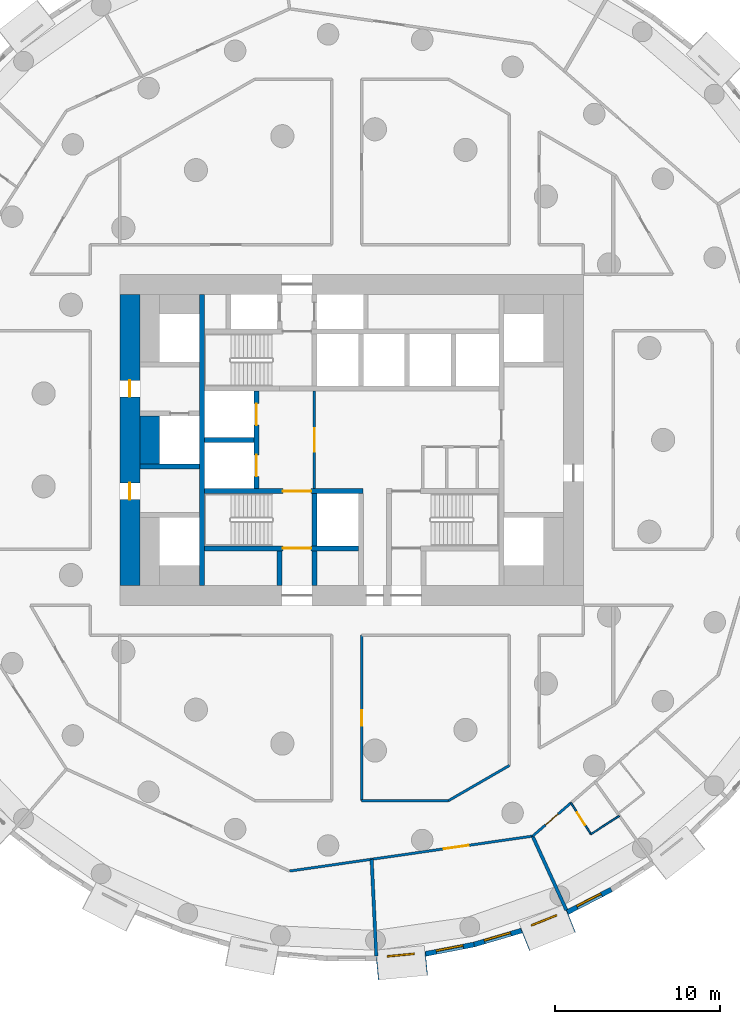
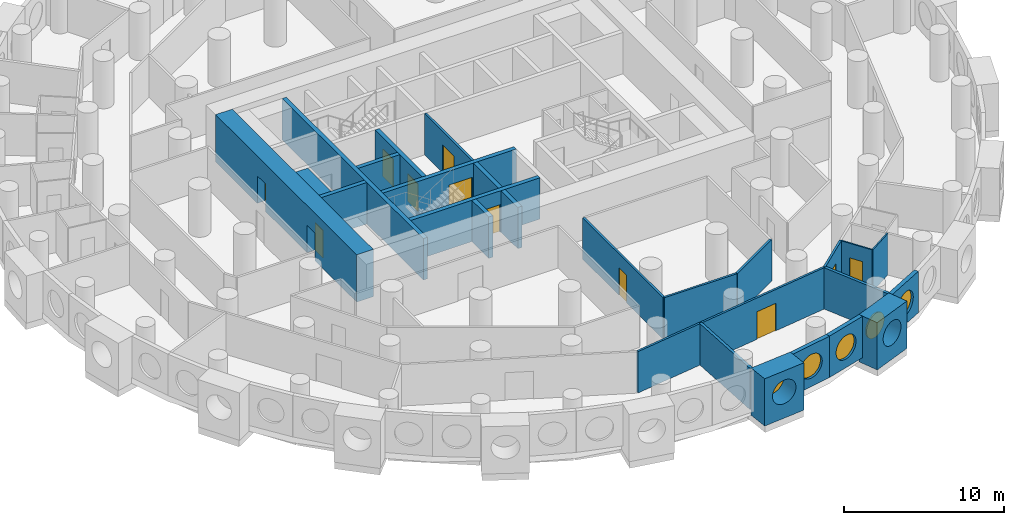
# One storey, part 4 of 11: 26 walls, 11 doors, 5 windows, 16 openings.
"""IFC4 building model written with IfcOpenShell, lengths in metres."""

from ifc_helpers import new_model, si_unit, direction, frame, frame_2d, origin, origin_2d, place, context, subcontext, project, spatial, rectangle, circle, extrude, material, layer, layer_set, type_object, element, fill, save


model = new_model("IFC4")

# Units and contexts
model_context = context("Model", 3, precision=1e-05, world=origin(), true_north=direction((0.0, 1.0)))
body_context = subcontext(model_context, "Body", "Model", "MODEL_VIEW")
ifc_project = project(units=[si_unit("LENGTHUNIT", "METRE"), si_unit("AREAUNIT", "SQUARE_METRE"), si_unit("VOLUMEUNIT", "CUBIC_METRE"), si_unit("PLANEANGLEUNIT", "RADIAN"), si_unit("MASSUNIT", "GRAM", prefix="KILO")], contexts=[model_context])

# Site, building, storey
site_placement = place(None, origin())
site = spatial("IfcSite", under=ifc_project, at=site_placement, CompositionType="ELEMENT")
building_placement = place(site_placement, origin())
building = spatial("IfcBuilding", under=site, at=building_placement, Name="Tracery Tower", CompositionType="ELEMENT")
storey_placement = place(building_placement, frame((0.0, 0.0, 64.199951171875)))
storey = spatial("IfcBuildingStorey", under=building, at=storey_placement, Name="L15", CompositionType="ELEMENT", Elevation=64.199951171875)

# Wall, opening, door
ifc_material_1 = material(Name="Plasterboard on steel studs", Category="steel")
ifc_layer_1 = layer(ifc_material_1, 0.14990234375)
ifc_layer_set_1 = layer_set([ifc_layer_1], Name="Core lobby partition 150")
wall_type_1 = type_object("IfcWallType", Name="Core lobby partition 150", PredefinedType="SOLIDWALL", material=ifc_layer_set_1)
wall_1_placement = place(storey_placement, frame((-2.25, -2.949951171875, 0.0), z_axis=(0.0, 0.0, 1.0), x_axis=(0.0, 1.0, 0.0)))
wall_1 = element("IfcWall", 1, at=wall_1_placement, inside=storey, type_object=wall_type_1, Name="L15 FF lobby E", PredefinedType="SOLIDWALL", context=body_context, shape_type="SweptSolid", body=[
    extrude(rectangle(XDim=5.89990234375, YDim=0.14990234375, at=frame_2d((2.949951171875, 0.0))), origin(), (0.0, 0.0, 1.0), 3.150146484375),
])
opening_1_placement = place(wall_1_placement, frame((2.25, 0.0, 0.0)))
opening_1 = element("IfcOpeningElement", 2, at=opening_1_placement, cuts=wall_1, Name="Opening KD8", PredefinedType="OPENING", context=body_context, shape_type="SweptSolid", body=[
    extrude(rectangle(XDim=1.39990234375, YDim=2.10009765625, at=frame_2d((0.699951171875, 1.050048828125))), frame((0.0, 0.074951171875, 0.0), z_axis=(0.0, -1.0, 0.0), x_axis=(1.0, 0.0, 0.0)), (0.0, 0.0, 1.0), 0.14990234375),
])
ifc_material_2 = material(Name="Steel fire door", Category="steel")
door_type_1 = type_object("IfcDoorType", Name="Core lobby door 1400 double", OperationType="NOTDEFINED", PredefinedType="DOOR", material=ifc_material_2)
door_1_placement = place(opening_1_placement, origin())
door_1 = element("IfcDoor", 3, at=door_1_placement, inside=storey, type_object=door_type_1, Name="Fire-fighting lobby door", OperationType="DOUBLE_DOOR_SINGLE_SWING", OverallHeight=2.10009765625, OverallWidth=1.39990234375, PredefinedType="DOOR", context=body_context, shape_type="SweptSolid", body=[
    extrude(rectangle(XDim=1.39990234375, YDim=2.10009765625, at=frame_2d((0.699951171875, 1.050048828125))), frame((0.0, 0.02490234375, 0.0), z_axis=(0.0, -1.0, 0.0), x_axis=(1.0, 0.0, 0.0)), (0.0, 0.0, 1.0), 0.050048828125),
])
fill(opening_1, door_1)

# Wall
ifc_material_3 = material(Name="Concrete C60/75", Category="concrete")
ifc_layer_2 = layer(ifc_material_3, 1.199951171875)
ifc_layer_set_2 = layer_set([ifc_layer_2], Name="Core strip wall 1200 C60")
wall_type_2 = type_object("IfcWallType", Name="Core strip wall 1200 C60", PredefinedType="SOLIDWALL", material=ifc_layer_set_2)
wall_2_placement = place(storey_placement, frame((-12.199951171875, -1.449951171875, 0.0), z_axis=(0.0, 0.0, 1.0), x_axis=(0.0, 1.0, 0.0)))
element("IfcWall", 4, at=wall_2_placement, inside=storey, type_object=wall_type_2, Name="L15 wing strip -1 -1.6", PredefinedType="SOLIDWALL", context=body_context, shape_type="SweptSolid", body=[
    extrude(rectangle(XDim=2.89990234375, YDim=1.199951171875, at=frame_2d((1.449951171875, 0.0))), origin(), (0.0, 0.0, 1.0), 3.150146484375),
])

# Wall, openings, doors
ifc_material_4 = material(Name="Concrete C60/75", Category="concrete")
ifc_layer_3 = layer(ifc_material_4, 1.199951171875)
ifc_layer_set_3 = layer_set([ifc_layer_3], Name="Core wall 1200 C60")
wall_type_3 = type_object("IfcWallType", Name="Core wall 1200 C60", PredefinedType="SOLIDWALL", material=ifc_layer_set_3)
wall_3_placement = place(storey_placement, frame((-13.39990234375, -8.800048828125, 0.0), z_axis=(0.0, 0.0, 1.0), x_axis=(0.0, 1.0, 0.0)))
wall_3 = element("IfcWall", 5, at=wall_3_placement, inside=storey, type_object=wall_type_3, Name="L15 outer W", PredefinedType="SOLIDWALL", context=body_context, shape_type="SweptSolid", body=[
    extrude(rectangle(XDim=17.60009765625, YDim=1.199951171875, at=frame_2d((8.800048828125, 0.0))), origin(), (0.0, 0.0, 1.0), 3.60009765625),
])
opening_2_placement = place(wall_3_placement, frame((5.199951171875, 0.0, 0.0)))
opening_2 = element("IfcOpeningElement", 6, at=opening_2_placement, cuts=wall_3, Name="Opening KD18", PredefinedType="OPENING", context=body_context, shape_type="SweptSolid", body=[
    extrude(rectangle(XDim=1.0, YDim=2.10009765625, at=frame_2d((0.5, 1.050048828125))), frame((0.0, 0.60009765625, 0.0), z_axis=(0.0, -1.0, 0.0), x_axis=(1.0, 0.0, 0.0)), (0.0, 0.0, 1.0), 1.199951171875),
])
opening_3_placement = place(wall_3_placement, frame((11.39990234375, 0.0, 0.0)))
opening_3 = element("IfcOpeningElement", 7, at=opening_3_placement, cuts=wall_3, Name="Opening KD18", PredefinedType="OPENING", context=body_context, shape_type="SweptSolid", body=[
    extrude(rectangle(XDim=1.0, YDim=2.10009765625, at=frame_2d((0.5, 1.050048828125))), frame((0.0, 0.60009765625, 0.0), z_axis=(0.0, -1.0, 0.0), x_axis=(1.0, 0.0, 0.0)), (0.0, 0.0, 1.0), 1.199951171875),
])
ifc_material_5 = material(Name="Steel fire door", Category="steel")
door_type_2 = type_object("IfcDoorType", Name="Core exit door 1000", OperationType="NOTDEFINED", PredefinedType="DOOR", material=ifc_material_5)
door_2_placement = place(opening_2_placement, origin())
door_2 = element("IfcDoor", 8, at=door_2_placement, inside=storey, type_object=door_type_2, Name="Core exit door", OperationType="DOUBLE_DOOR_SINGLE_SWING", OverallHeight=2.10009765625, OverallWidth=1.0, PredefinedType="DOOR", context=body_context, shape_type="SweptSolid", body=[
    extrude(rectangle(XDim=1.0, YDim=2.10009765625, at=frame_2d((0.5, 1.050048828125))), frame((0.0, 0.02490234375, 0.0), z_axis=(0.0, -1.0, 0.0), x_axis=(1.0, 0.0, 0.0)), (0.0, 0.0, 1.0), 0.050048828125),
])
fill(opening_2, door_2)
door_3_placement = place(opening_3_placement, origin())
door_3 = element("IfcDoor", 9, at=door_3_placement, inside=storey, type_object=door_type_2, Name="Core exit door", OperationType="DOUBLE_DOOR_SINGLE_SWING", OverallHeight=2.10009765625, OverallWidth=1.0, PredefinedType="DOOR", context=body_context, shape_type="SweptSolid", body=[
    extrude(rectangle(XDim=1.0, YDim=2.10009765625, at=frame_2d((0.5, 1.050048828125))), frame((0.0, 0.02490234375, 0.0), z_axis=(0.0, -1.0, 0.0), x_axis=(1.0, 0.0, 0.0)), (0.0, 0.0, 1.0), 0.050048828125),
])
fill(opening_3, door_3)

# Wall, opening, window
ifc_material_6 = material(Name="Precast concrete C50/60", Category="concrete")
ifc_layer_4 = layer(ifc_material_6, 1.449951171875)
ifc_layer_set_4 = layer_set([ifc_layer_4], Name="Deep-set bay unit 3000 x 3600, slab edge 450")
wall_type_4 = type_object("IfcWallType", Name="Deep-set bay unit 3000 x 3600, slab edge 450", PredefinedType="ELEMENTEDWALL", material=ifc_layer_set_4)
wall_4_placement = place(storey_placement, frame((1.540283203125, -31.911865234375, -0.449951171875), z_axis=(0.0, 0.0, 1.0), x_axis=(0.995472768558, 0.09504718333, 0.0)))
wall_4 = element("IfcWall", 10, at=wall_4_placement, inside=storey, type_object=wall_type_4, Name="Deep-set bay unit 51 at L15", PredefinedType="ELEMENTEDWALL", context=body_context, shape_type="SweptSolid", body=[
    extrude(rectangle(XDim=3.000244140625, YDim=1.449951171875, at=frame_2d((1.5, 0.0))), origin(), (0.0, 0.0, 1.0), 3.60009765625),
])
opening_4_placement = place(wall_4_placement, frame((1.5, 0.0, 2.0)))
opening_4 = element("IfcOpeningElement", 11, at=opening_4_placement, cuts=wall_4, Name="Opening WN1", PredefinedType="OPENING", context=body_context, shape_type="SweptSolid", body=[
    extrude(circle(Radius=0.9000244140625, at=origin_2d()), frame((0.0, 0.73486328125, 0.0), z_axis=(0.0, -1.0, 0.0), x_axis=(1.0, 0.0, 0.0)), (0.0, 0.0, 1.0), 1.469970703125),
])
ifc_material_7 = material(Name="Aluminium frame with tinted double glazing", Category="aluminium")
window_type = type_object("IfcWindowType", Name="Round window 1800", PartitioningType="SINGLE_PANEL", PredefinedType="WINDOW", material=ifc_material_7)
window_1_placement = place(opening_4_placement, origin())
window_1 = element("IfcWindow", 12, at=window_1_placement, inside=storey, type_object=window_type, Name="Round window 51 at L15", OverallHeight=1.800048828125, OverallWidth=1.800048828125, PartitioningType="SINGLE_PANEL", PredefinedType="WINDOW", context=body_context, shape_type="SweptSolid", body=[
    extrude(circle(Radius=0.9000244140625, at=origin_2d()), frame((0.0, 0.69482421875, 0.0), z_axis=(0.0, -1.0, 0.0), x_axis=(1.0, 0.0, 0.0)), (0.0, 0.0, 1.0), 0.10009765625),
])
fill(opening_4, window_1)

wall_5_placement = place(storey_placement, frame((10.46875, -30.185302734375, -0.449951171875), z_axis=(0.0, 0.0, 1.0), x_axis=(0.928358776184, 0.371685327504, 0.0)))
wall_5 = element("IfcWall", 13, at=wall_5_placement, inside=storey, type_object=wall_type_4, Name="Deep-set bay unit 54 at L15", PredefinedType="ELEMENTEDWALL", context=body_context, shape_type="SweptSolid", body=[
    extrude(rectangle(XDim=2.999755859375, YDim=1.449951171875, at=frame_2d((1.5, 0.0))), origin(), (0.0, 0.0, 1.0), 3.60009765625),
])
opening_5_placement = place(wall_5_placement, frame((1.5, 0.0, 2.0)))
opening_5 = element("IfcOpeningElement", 14, at=opening_5_placement, cuts=wall_5, Name="Opening WN1", PredefinedType="OPENING", context=body_context, shape_type="SweptSolid", body=[
    extrude(circle(Radius=0.9000244140625, at=origin_2d()), frame((0.0, 0.73486328125, 0.0), z_axis=(0.0, -1.0, 0.0), x_axis=(1.0, 0.0, 0.0)), (0.0, 0.0, 1.0), 1.469970703125),
])
window_2_placement = place(opening_5_placement, origin())
window_2 = element("IfcWindow", 15, at=window_2_placement, inside=storey, type_object=window_type, Name="Round window 54 at L15", OverallHeight=1.800048828125, OverallWidth=1.800048828125, PartitioningType="SINGLE_PANEL", PredefinedType="WINDOW", context=body_context, shape_type="SweptSolid", body=[
    extrude(circle(Radius=0.9000244140625, at=origin_2d()), frame((0.0, 0.69482421875, 0.0), z_axis=(0.0, -1.0, 0.0), x_axis=(1.0, 0.0, 0.0)), (0.0, 0.0, 1.0), 0.10009765625),
])
fill(opening_5, window_2)

ifc_material_8 = material(Name="Precast concrete C50/60", Category="concrete")
ifc_layer_5 = layer(ifc_material_8, 0.300048828125)
ifc_layer_set_5 = layer_set([ifc_layer_5], Name="Facade panel 3000 x 3150")
wall_type_5 = type_object("IfcWallType", Name="Facade panel 3000 x 3150", PredefinedType="SOLIDWALL", material=ifc_layer_set_5)
wall_6_placement = place(storey_placement, frame((4.470947265625, -31.053955078125, 0.0), z_axis=(0.0, 0.0, 1.0), x_axis=(0.981924535406, 0.189272836848, 0.0)))
wall_6 = element("IfcWall", 16, at=wall_6_placement, inside=storey, type_object=wall_type_5, Name="Facade panel 52 at L15", PredefinedType="SOLIDWALL", context=body_context, shape_type="SweptSolid", body=[
    extrude(rectangle(XDim=2.979736328125, YDim=0.300048828125, at=frame_2d((1.48974609375, 0.0))), origin(), (0.0, 0.0, 1.0), 3.150146484375),
])
opening_6_placement = place(wall_6_placement, frame((1.48974609375, 0.0, 1.5498046875)))
opening_6 = element("IfcOpeningElement", 17, at=opening_6_placement, cuts=wall_6, Name="Opening WN1", PredefinedType="OPENING", context=body_context, shape_type="SweptSolid", body=[
    extrude(circle(Radius=0.9000244140625, at=origin_2d()), frame((0.0, 0.159912109375, 0.0), z_axis=(0.0, -1.0, 0.0), x_axis=(1.0, 0.0, 0.0)), (0.0, 0.0, 1.0), 0.320068359375),
])
window_3_placement = place(opening_6_placement, origin())
window_3 = element("IfcWindow", 18, at=window_3_placement, inside=storey, type_object=window_type, Name="Round window 52 at L15", OverallHeight=1.800048828125, OverallWidth=1.800048828125, PartitioningType="SINGLE_PANEL", PredefinedType="WINDOW", context=body_context, shape_type="SweptSolid", body=[
    extrude(circle(Radius=0.9000244140625, at=origin_2d()), frame((0.0, 0.1201171875, 0.0), z_axis=(0.0, -1.0, 0.0), x_axis=(1.0, 0.0, 0.0)), (0.0, 0.0, 1.0), 0.10009765625),
])
fill(opening_6, window_3)

wall_7_placement = place(storey_placement, frame((7.396728515625, -30.489990234375, 0.0), z_axis=(0.0, 0.0, 1.0), x_axis=(0.959507586834, 0.28168278401, 0.0)))
wall_7 = element("IfcWall", 19, at=wall_7_placement, inside=storey, type_object=wall_type_5, Name="Facade panel 53 at L15", PredefinedType="SOLIDWALL", context=body_context, shape_type="SweptSolid", body=[
    extrude(rectangle(XDim=2.979736328125, YDim=0.300048828125, at=frame_2d((1.48974609375, 0.0))), origin(), (0.0, 0.0, 1.0), 3.150146484375),
])
opening_7_placement = place(wall_7_placement, frame((1.48974609375, 0.0, 1.5498046875)))
opening_7 = element("IfcOpeningElement", 20, at=opening_7_placement, cuts=wall_7, Name="Opening WN1", PredefinedType="OPENING", context=body_context, shape_type="SweptSolid", body=[
    extrude(circle(Radius=0.9000244140625, at=origin_2d()), frame((0.0, 0.159912109375, 0.0), z_axis=(0.0, -1.0, 0.0), x_axis=(1.0, 0.0, 0.0)), (0.0, 0.0, 1.0), 0.320068359375),
])
window_4_placement = place(opening_7_placement, origin())
window_4 = element("IfcWindow", 21, at=window_4_placement, inside=storey, type_object=window_type, Name="Round window 53 at L15", OverallHeight=1.800048828125, OverallWidth=1.800048828125, PartitioningType="SINGLE_PANEL", PredefinedType="WINDOW", context=body_context, shape_type="SweptSolid", body=[
    extrude(circle(Radius=0.9000244140625, at=origin_2d()), frame((0.0, 0.1201171875, 0.0), z_axis=(0.0, -1.0, 0.0), x_axis=(1.0, 0.0, 0.0)), (0.0, 0.0, 1.0), 0.10009765625),
])
fill(opening_7, window_4)

wall_8_placement = place(storey_placement, frame((13.038818359375, -28.536376953125, 0.0), z_axis=(0.0, 0.0, 1.0), x_axis=(0.888853225096, 0.4581920386, 0.0)))
wall_8 = element("IfcWall", 22, at=wall_8_placement, inside=storey, type_object=wall_type_5, Name="Facade panel 55 at L15", PredefinedType="SOLIDWALL", context=body_context, shape_type="SweptSolid", body=[
    extrude(rectangle(XDim=2.9794921875, YDim=0.300048828125, at=frame_2d((1.48974609375, 0.0))), origin(), (0.0, 0.0, 1.0), 3.150146484375),
])
opening_8_placement = place(wall_8_placement, frame((1.48974609375, 0.0, 1.5498046875)))
opening_8 = element("IfcOpeningElement", 23, at=opening_8_placement, cuts=wall_8, Name="Opening WN1", PredefinedType="OPENING", context=body_context, shape_type="SweptSolid", body=[
    extrude(circle(Radius=0.9000244140625, at=origin_2d()), frame((0.0, 0.159912109375, 0.0), z_axis=(0.0, -1.0, 0.0), x_axis=(1.0, 0.0, 0.0)), (0.0, 0.0, 1.0), 0.320068359375),
])
window_5_placement = place(opening_8_placement, origin())
window_5 = element("IfcWindow", 24, at=window_5_placement, inside=storey, type_object=window_type, Name="Round window 55 at L15", OverallHeight=1.800048828125, OverallWidth=1.800048828125, PartitioningType="SINGLE_PANEL", PredefinedType="WINDOW", context=body_context, shape_type="SweptSolid", body=[
    extrude(circle(Radius=0.9000244140625, at=origin_2d()), frame((0.0, 0.1201171875, 0.0), z_axis=(0.0, -1.0, 0.0), x_axis=(1.0, 0.0, 0.0)), (0.0, 0.0, 1.0), 0.10009765625),
])
fill(opening_8, window_5)

# Wall, opening, door
ifc_material_9 = material(Name="Plasterboard on steel studs", Category="steel")
ifc_layer_6 = layer(ifc_material_9, 0.10009765625)
ifc_layer_set_6 = layer_set([ifc_layer_6], Name="Partition 100 wet wall")
wall_type_6 = type_object("IfcWallType", Name="Partition 100 wet wall", PredefinedType="PARTITIONING", material=ifc_layer_set_6)
wall_9_placement = place(storey_placement, frame((13.248046875, -21.93505859375, 0.0), z_axis=(0.0, 0.0, 1.0), x_axis=(0.540597960994, -0.841281073464, 0.0)))
wall_9 = element("IfcWall", 25, at=wall_9_placement, inside=storey, type_object=wall_type_6, Name="Wet wall RA4-087", PredefinedType="PARTITIONING", context=body_context, shape_type="SweptSolid", body=[
    extrude(rectangle(XDim=2.24169921875, YDim=0.10009765625, at=frame_2d((1.120849609375, 0.0))), origin(), (0.0, 0.0, 1.0), 3.150146484375),
])
opening_9_placement = place(wall_9_placement, frame((0.6708984375, 0.0, 0.0)))
opening_9 = element("IfcOpeningElement", 26, at=opening_9_placement, cuts=wall_9, Name="Opening RA4-30", PredefinedType="OPENING", context=body_context, shape_type="SweptSolid", body=[
    extrude(rectangle(XDim=0.89990234375, YDim=2.0400390625, at=frame_2d((0.449951171875, 1.02001953125))), frame((0.0, 0.050048828125, 0.0), z_axis=(0.0, -1.0, 0.0), x_axis=(1.0, 0.0, 0.0)), (0.0, 0.0, 1.0), 0.10009765625),
])
ifc_material_10 = material(Name="Timber door leaf", Category="wood")
door_type_3 = type_object("IfcDoorType", Name="Door en-suite 900", OperationType="NOTDEFINED", PredefinedType="DOOR", material=ifc_material_10)
door_4_placement = place(opening_9_placement, origin())
door_4 = element("IfcDoor", 27, at=door_4_placement, inside=storey, type_object=door_type_3, Name="En-suite door RA4-30", OperationType="SINGLE_SWING_RIGHT", OverallHeight=2.0400390625, OverallWidth=0.89990234375, PredefinedType="DOOR", context=body_context, shape_type="SweptSolid", body=[
    extrude(rectangle(XDim=0.89990234375, YDim=2.0400390625, at=frame_2d((0.449951171875, 1.02001953125))), frame((0.0, 0.02490234375, 0.0), z_axis=(0.0, -1.0, 0.0), x_axis=(1.0, 0.0, 0.0)), (0.0, 0.0, 1.0), 0.050048828125),
])
fill(opening_9, door_4)

# Wall
wall_10_placement = place(storey_placement, frame((14.4599609375, -23.821044921875, 0.0), z_axis=(0.0, 0.0, 1.0), x_axis=(0.841135728185, 0.540824081168, 0.0)))
element("IfcWall", 28, at=wall_10_placement, inside=storey, type_object=wall_type_6, Name="Wet wall RA4-088", PredefinedType="PARTITIONING", context=body_context, shape_type="SweptSolid", body=[
    extrude(rectangle(XDim=2.041259765625, YDim=0.10009765625, at=frame_2d((1.0205078125, 0.0))), origin(), (0.0, 0.0, 1.0), 3.150146484375),
])

# Wall, opening, door
ifc_material_11 = material(Name="Plasterboard on steel studs", Category="steel")
ifc_layer_7 = layer(ifc_material_11, 0.14990234375)
ifc_layer_set_7 = layer_set([ifc_layer_7], Name="Partition 150 corridor wall")
wall_type_7 = type_object("IfcWallType", Name="Partition 150 corridor wall", PredefinedType="PARTITIONING", material=ifc_layer_set_7)
wall_11_placement = place(storey_placement, frame((0.60791015625, -21.802001953125, 0.0), z_axis=(0.0, 0.0, 1.0), x_axis=(0.0, 1.0, 0.0)))
wall_11 = element("IfcWall", 29, at=wall_11_placement, inside=storey, type_object=wall_type_7, Name="Corridor wall RA4-052", PredefinedType="PARTITIONING", context=body_context, shape_type="SweptSolid", body=[
    extrude(rectangle(XDim=10.001953125, YDim=0.14990234375, at=frame_2d((5.0009765625, 0.0))), origin(), (0.0, 0.0, 1.0), 3.150146484375),
])
opening_10_placement = place(wall_11_placement, frame((4.52587890625, 0.0, 0.0)))
opening_10 = element("IfcOpeningElement", 30, at=opening_10_placement, cuts=wall_11, Name="Opening RA4-05", PredefinedType="OPENING", context=body_context, shape_type="SweptSolid", body=[
    extrude(rectangle(XDim=0.949951171875, YDim=2.10009765625, at=frame_2d((0.47509765625, 1.050048828125))), frame((0.0, 0.074951171875, 0.0), z_axis=(0.0, -1.0, 0.0), x_axis=(1.0, 0.0, 0.0)), (0.0, 0.0, 1.0), 0.14990234375),
])
ifc_material_12 = material(Name="Timber door leaf", Category="wood")
door_type_4 = type_object("IfcDoorType", Name="Door store 950", OperationType="NOTDEFINED", PredefinedType="DOOR", material=ifc_material_12)
door_5_placement = place(opening_10_placement, origin())
door_5 = element("IfcDoor", 31, at=door_5_placement, inside=storey, type_object=door_type_4, Name="Store door RA4-05", OperationType="SINGLE_SWING_RIGHT", OverallHeight=2.10009765625, OverallWidth=0.949951171875, PredefinedType="DOOR", context=body_context, shape_type="SweptSolid", body=[
    extrude(rectangle(XDim=0.949951171875, YDim=2.10009765625, at=frame_2d((0.47509765625, 1.050048828125))), frame((0.0, 0.02490234375, 0.0), z_axis=(0.0, -1.0, 0.0), x_axis=(1.0, 0.0, 0.0)), (0.0, 0.0, 1.0), 0.050048828125),
])
fill(opening_10, door_5)

# Walls
wall_12_placement = place(storey_placement, frame((0.60791015625, -21.802001953125, 0.0), z_axis=(0.0, 0.0, 1.0), x_axis=(1.0, 0.0, 0.0)))
element("IfcWall", 32, at=wall_12_placement, inside=storey, type_object=wall_type_7, Name="Corridor wall RA4-053", PredefinedType="PARTITIONING", context=body_context, shape_type="SweptSolid", body=[
    extrude(rectangle(XDim=5.234130859375, YDim=0.14990234375, at=frame_2d((2.6171875, 0.0))), origin(), (0.0, 0.0, 1.0), 3.150146484375),
])
wall_13_placement = place(storey_placement, frame((5.842041015625, -21.802001953125, 0.0), z_axis=(0.0, 0.0, 1.0), x_axis=(0.865983505205, 0.500072563448, 0.0)))
element("IfcWall", 33, at=wall_13_placement, inside=storey, type_object=wall_type_7, Name="Corridor wall RA4-054", PredefinedType="PARTITIONING", context=body_context, shape_type="SweptSolid", body=[
    extrude(rectangle(XDim=4.265380859375, YDim=0.14990234375, at=frame_2d((2.1328125, 0.0))), origin(), (0.0, 0.0, 1.0), 3.150146484375),
])

# Wall, opening, door
wall_14_placement = place(storey_placement, frame((-3.74609375, -26.051025390625, 0.0), z_axis=(0.0, 0.0, 1.0), x_axis=(0.9898137179, 0.142368549395, 0.0)))
wall_14 = element("IfcWall", 34, at=wall_14_placement, inside=storey, type_object=wall_type_7, Name="Corridor wall RA4-058", PredefinedType="PARTITIONING", context=body_context, shape_type="SweptSolid", body=[
    extrude(rectangle(XDim=14.830078125, YDim=0.14990234375, at=frame_2d((7.4150390625, 0.0))), origin(), (0.0, 0.0, 1.0), 3.150146484375),
])
opening_11_placement = place(wall_14_placement, frame((9.4150390625, 0.0, 0.0)))
opening_11 = element("IfcOpeningElement", 35, at=opening_11_placement, cuts=wall_14, Name="Opening RA4-29", PredefinedType="OPENING", context=body_context, shape_type="SweptSolid", body=[
    extrude(rectangle(XDim=1.5, YDim=2.10009765625, at=frame_2d((0.75, 1.050048828125))), frame((0.0, 0.074951171875, 0.0), z_axis=(0.0, -1.0, 0.0), x_axis=(1.0, 0.0, 0.0)), (0.0, 0.0, 1.0), 0.14990234375),
])
ifc_material_13 = material(Name="Timber door leaf", Category="wood")
door_type_5 = type_object("IfcDoorType", Name="Door double kitchen 1500", OperationType="NOTDEFINED", PredefinedType="DOOR", material=ifc_material_13)
door_6_placement = place(opening_11_placement, origin())
door_6 = element("IfcDoor", 36, at=door_6_placement, inside=storey, type_object=door_type_5, Name="Double kitchen door RA4-29", OperationType="DOUBLE_DOOR_SINGLE_SWING", OverallHeight=2.10009765625, OverallWidth=1.5, PredefinedType="DOOR", context=body_context, shape_type="SweptSolid", body=[
    extrude(rectangle(XDim=1.5, YDim=2.10009765625, at=frame_2d((0.75, 1.050048828125))), frame((0.0, 0.02490234375, 0.0), z_axis=(0.0, -1.0, 0.0), x_axis=(1.0, 0.0, 0.0)), (0.0, 0.0, 1.0), 0.050048828125),
])
fill(opening_11, door_6)

wall_15_placement = place(storey_placement, frame((10.93310546875, -23.93994140625, 0.0), z_axis=(0.0, 0.0, 1.0), x_axis=(0.755675945931, 0.654945696025, 0.0)))
wall_15 = element("IfcWall", 37, at=wall_15_placement, inside=storey, type_object=wall_type_7, Name="Corridor wall RA4-060", PredefinedType="PARTITIONING", context=body_context, shape_type="SweptSolid", body=[
    extrude(rectangle(XDim=3.06591796875, YDim=0.14990234375, at=frame_2d((1.532958984375, 0.0))), origin(), (0.0, 0.0, 1.0), 3.150146484375),
])
opening_12_placement = place(wall_15_placement, frame((1.032958984375, 0.0, 0.0)))
opening_12 = element("IfcOpeningElement", 38, at=opening_12_placement, cuts=wall_15, Name="Opening RA4-31", PredefinedType="OPENING", context=body_context, shape_type="SweptSolid", body=[
    extrude(rectangle(XDim=1.0, YDim=2.10009765625, at=frame_2d((0.5, 1.050048828125))), frame((0.0, 0.074951171875, 0.0), z_axis=(0.0, -1.0, 0.0), x_axis=(1.0, 0.0, 0.0)), (0.0, 0.0, 1.0), 0.14990234375),
])
ifc_material_14 = material(Name="Timber door leaf", Category="wood")
door_type_6 = type_object("IfcDoorType", Name="Door unit entrance 1000", OperationType="NOTDEFINED", PredefinedType="DOOR", material=ifc_material_14)
door_7_placement = place(opening_12_placement, origin())
door_7 = element("IfcDoor", 39, at=door_7_placement, inside=storey, type_object=door_type_6, Name="Unit entrance door RA4-31", OperationType="SINGLE_SWING_LEFT", OverallHeight=2.10009765625, OverallWidth=1.0, PredefinedType="DOOR", context=body_context, shape_type="SweptSolid", body=[
    extrude(rectangle(XDim=1.0, YDim=2.10009765625, at=frame_2d((0.5, 1.050048828125))), frame((0.0, 0.02490234375, 0.0), z_axis=(0.0, -1.0, 0.0), x_axis=(1.0, 0.0, 0.0)), (0.0, 0.0, 1.0), 0.050048828125),
])
fill(opening_12, door_7)

# Walls
ifc_material_15 = material(Name="Plasterboard on steel studs", Category="steel")
ifc_layer_8 = layer(ifc_material_15, 0.199951171875)
ifc_layer_set_8 = layer_set([ifc_layer_8], Name="Partition 200 compartment wall")
wall_type_8 = type_object("IfcWallType", Name="Partition 200 compartment wall", PredefinedType="PARTITIONING", material=ifc_layer_set_8)
wall_16_placement = place(storey_placement, frame((1.20703125, -25.339111328125, 0.0), z_axis=(0.0, 0.0, 1.0), x_axis=(0.047648334785, -0.998864173045, 0.0)))
element("IfcWall", 40, at=wall_16_placement, inside=storey, type_object=wall_type_8, Name="Compartment wall RA4-085", PredefinedType="PARTITIONING", context=body_context, shape_type="SweptSolid", body=[
    extrude(rectangle(XDim=5.8564453125, YDim=0.199951171875, at=frame_2d((2.92822265625, 0.0))), origin(), (0.0, 0.0, 1.0), 3.150146484375),
])
wall_17_placement = place(storey_placement, frame((10.93310546875, -23.93994140625, 0.0), z_axis=(0.0, 0.0, 1.0), x_axis=(0.415346954488, -0.909663073559, 0.0)))
element("IfcWall", 41, at=wall_17_placement, inside=storey, type_object=wall_type_8, Name="Compartment wall RA4-086", PredefinedType="PARTITIONING", context=body_context, shape_type="SweptSolid", body=[
    extrude(rectangle(XDim=4.90625, YDim=0.199951171875, at=frame_2d((2.453125, 0.0))), origin(), (0.0, 0.0, 1.0), 3.150146484375),
])
ifc_material_16 = material(Name="Concrete C60/75", Category="concrete")
ifc_layer_9 = layer(ifc_material_16, 0.300048828125)
ifc_layer_set_9 = layer_set([ifc_layer_9], Name="Shaft wall 300 C60")
wall_type_9 = type_object("IfcWallType", Name="Shaft wall 300 C60", PredefinedType="SOLIDWALL", material=ifc_layer_set_9)
wall_18_placement = place(storey_placement, frame((-8.89990234375, 0.0, 0.0), z_axis=(0.0, 0.0, 1.0), x_axis=(1.0, 0.0, 0.0)))
element("IfcWall", 42, at=wall_18_placement, inside=storey, type_object=wall_type_9, Name="L15 FF split", PredefinedType="SOLIDWALL", context=body_context, shape_type="SweptSolid", body=[
    extrude(rectangle(XDim=3.0, YDim=0.300048828125, at=frame_2d((1.5, 0.0))), origin(), (0.0, 0.0, 1.0), 3.150146484375),
])

# Wall, openings, doors
wall_19_placement = place(storey_placement, frame((-5.75, -2.949951171875, 0.0), z_axis=(0.0, 0.0, 1.0), x_axis=(0.0, 1.0, 0.0)))
wall_19 = element("IfcWall", 43, at=wall_19_placement, inside=storey, type_object=wall_type_9, Name="L15 FF doors", PredefinedType="SOLIDWALL", context=body_context, shape_type="SweptSolid", body=[
    extrude(rectangle(XDim=5.89990234375, YDim=0.300048828125, at=frame_2d((2.949951171875, 0.0))), origin(), (0.0, 0.0, 1.0), 3.150146484375),
])
opening_13_placement = place(wall_19_placement, frame((0.75, 0.0, 0.0)))
opening_13 = element("IfcOpeningElement", 44, at=opening_13_placement, cuts=wall_19, Name="Opening KD54", PredefinedType="OPENING", context=body_context, shape_type="SweptSolid", body=[
    extrude(rectangle(XDim=1.300048828125, YDim=2.10009765625, at=frame_2d((0.64990234375, 1.050048828125))), frame((0.0, 0.14990234375, 0.0), z_axis=(0.0, -1.0, 0.0), x_axis=(1.0, 0.0, 0.0)), (0.0, 0.0, 1.0), 0.300048828125),
])
opening_14_placement = place(wall_19_placement, frame((3.85009765625, 0.0, 0.0)))
opening_14 = element("IfcOpeningElement", 45, at=opening_14_placement, cuts=wall_19, Name="Opening KD55", PredefinedType="OPENING", context=body_context, shape_type="SweptSolid", body=[
    extrude(rectangle(XDim=1.300048828125, YDim=2.10009765625, at=frame_2d((0.64990234375, 1.050048828125))), frame((0.0, 0.14990234375, 0.0), z_axis=(0.0, -1.0, 0.0), x_axis=(1.0, 0.0, 0.0)), (0.0, 0.0, 1.0), 0.300048828125),
])
ifc_material_17 = material(Name="Steel fire door", Category="steel")
door_type_7 = type_object("IfcDoorType", Name="Landing door FF 1300", OperationType="NOTDEFINED", PredefinedType="DOOR", material=ifc_material_17)
door_8_placement = place(opening_13_placement, origin())
door_8 = element("IfcDoor", 46, at=door_8_placement, inside=storey, type_object=door_type_7, Name="Landing door FF1", OperationType="SLIDING_TO_LEFT", OverallHeight=2.10009765625, OverallWidth=1.300048828125, PredefinedType="DOOR", context=body_context, shape_type="SweptSolid", body=[
    extrude(rectangle(XDim=1.300048828125, YDim=2.10009765625, at=frame_2d((0.64990234375, 1.050048828125))), frame((0.0, 0.02490234375, 0.0), z_axis=(0.0, -1.0, 0.0), x_axis=(1.0, 0.0, 0.0)), (0.0, 0.0, 1.0), 0.050048828125),
])
fill(opening_13, door_8)
door_9_placement = place(opening_14_placement, origin())
door_9 = element("IfcDoor", 47, at=door_9_placement, inside=storey, type_object=door_type_7, Name="Landing door FF2", OperationType="SLIDING_TO_RIGHT", OverallHeight=2.10009765625, OverallWidth=1.300048828125, PredefinedType="DOOR", context=body_context, shape_type="SweptSolid", body=[
    extrude(rectangle(XDim=1.300048828125, YDim=2.10009765625, at=frame_2d((0.64990234375, 1.050048828125))), frame((0.0, 0.02490234375, 0.0), z_axis=(0.0, -1.0, 0.0), x_axis=(1.0, 0.0, 0.0)), (0.0, 0.0, 1.0), 0.050048828125),
])
fill(opening_14, door_9)

# Walls
wall_20_placement = place(storey_placement, frame((-4.35009765625, -8.800048828125, 0.0), z_axis=(0.0, 0.0, 1.0), x_axis=(0.0, 1.0, 0.0)))
element("IfcWall", 48, at=wall_20_placement, inside=storey, type_object=wall_type_9, Name="L15 band S -4.35", PredefinedType="SOLIDWALL", context=body_context, shape_type="SweptSolid", body=[
    extrude(rectangle(XDim=2.10009765625, YDim=0.300048828125, at=frame_2d((1.050048828125, 0.0))), origin(), (0.0, 0.0, 1.0), 3.150146484375),
])
wall_21_placement = place(storey_placement, frame((-12.800048828125, -1.60009765625, 0.0), z_axis=(0.0, 0.0, 1.0), x_axis=(1.0, 0.0, 0.0)))
element("IfcWall", 49, at=wall_21_placement, inside=storey, type_object=wall_type_9, Name="L15 wing shaft wall -1 -1.60", PredefinedType="SOLIDWALL", context=body_context, shape_type="SweptSolid", body=[
    extrude(rectangle(XDim=3.60009765625, YDim=0.300048828125, at=frame_2d((1.800048828125, 0.0))), origin(), (0.0, 0.0, 1.0), 3.150146484375),
])

# Wall, opening, door
ifc_material_18 = material(Name="Concrete C60/75", Category="concrete")
ifc_layer_10 = layer(ifc_material_18, 0.300048828125)
ifc_layer_set_10 = layer_set([ifc_layer_10], Name="Stair wall 300 C60")
wall_type_10 = type_object("IfcWallType", Name="Stair wall 300 C60", PredefinedType="SOLIDWALL", material=ifc_layer_set_10)
wall_22_placement = place(storey_placement, frame((-8.89990234375, -3.10009765625, 0.0), z_axis=(0.0, 0.0, 1.0), x_axis=(1.0, 0.0, 0.0)))
wall_22 = element("IfcWall", 50, at=wall_22_placement, inside=storey, type_object=wall_type_10, Name="L15 row S", PredefinedType="SOLIDWALL", context=body_context, shape_type="SweptSolid", body=[
    extrude(rectangle(XDim=9.599853515625, YDim=0.300048828125, at=frame_2d((4.7998046875, 0.0))), origin(), (0.0, 0.0, 1.0), 3.150146484375),
])
opening_15_placement = place(wall_22_placement, frame((4.75, 0.0, 0.0)))
opening_15 = element("IfcOpeningElement", 51, at=opening_15_placement, cuts=wall_22, Name="Opening KD3", PredefinedType="OPENING", context=body_context, shape_type="SweptSolid", body=[
    extrude(rectangle(XDim=1.699951171875, YDim=2.10009765625, at=frame_2d((0.85009765625, 1.050048828125))), frame((0.0, 0.14990234375, 0.0), z_axis=(0.0, -1.0, 0.0), x_axis=(1.0, 0.0, 0.0)), (0.0, 0.0, 1.0), 0.300048828125),
])
ifc_material_19 = material(Name="Steel fire door", Category="steel")
door_type_8 = type_object("IfcDoorType", Name="Core stair door 1700 double", OperationType="NOTDEFINED", PredefinedType="DOOR", material=ifc_material_19)
door_10_placement = place(opening_15_placement, origin())
door_10 = element("IfcDoor", 52, at=door_10_placement, inside=storey, type_object=door_type_8, Name="Stair door ST1", OperationType="DOUBLE_DOOR_SINGLE_SWING", OverallHeight=2.10009765625, OverallWidth=1.699951171875, PredefinedType="DOOR", context=body_context, shape_type="SweptSolid", body=[
    extrude(rectangle(XDim=1.699951171875, YDim=2.10009765625, at=frame_2d((0.85009765625, 1.050048828125))), frame((0.0, 0.02490234375, 0.0), z_axis=(0.0, -1.0, 0.0), x_axis=(1.0, 0.0, 0.0)), (0.0, 0.0, 1.0), 0.050048828125),
])
fill(opening_15, door_10)

# Walls
wall_23_placement = place(storey_placement, frame((-2.25, -6.39990234375, 0.0), z_axis=(0.0, 0.0, 1.0), x_axis=(0.0, 1.0, 0.0)))
element("IfcWall", 53, at=wall_23_placement, inside=storey, type_object=wall_type_10, Name="L15 ST1 E", PredefinedType="SOLIDWALL", context=body_context, shape_type="SweptSolid", body=[
    extrude(rectangle(XDim=3.14990234375, YDim=0.300048828125, at=frame_2d((1.574951171875, 0.0))), origin(), (0.0, 0.0, 1.0), 3.150146484375),
])
wall_24_placement = place(storey_placement, frame((-9.050048828125, -8.800048828125, 0.0), z_axis=(0.0, 0.0, 1.0), x_axis=(0.0, 1.0, 0.0)))
element("IfcWall", 54, at=wall_24_placement, inside=storey, type_object=wall_type_10, Name="L15 F wall -9", PredefinedType="SOLIDWALL", context=body_context, shape_type="SweptSolid", body=[
    extrude(rectangle(XDim=17.60009765625, YDim=0.300048828125, at=frame_2d((8.800048828125, 0.0))), origin(), (0.0, 0.0, 1.0), 3.150146484375),
])

# Wall, opening, door
wall_25_placement = place(storey_placement, frame((-8.89990234375, -6.550048828125, 0.0), z_axis=(0.0, 0.0, 1.0), x_axis=(1.0, 0.0, 0.0)))
wall_25 = element("IfcWall", 55, at=wall_25_placement, inside=storey, type_object=wall_type_10, Name="L15 F S W", PredefinedType="SOLIDWALL", context=body_context, shape_type="SweptSolid", body=[
    extrude(rectangle(XDim=9.2998046875, YDim=0.300048828125, at=frame_2d((4.64990234375, 0.0))), origin(), (0.0, 0.0, 1.0), 3.150146484375),
])
opening_16_placement = place(wall_25_placement, frame((4.75, 0.0, 0.0)))
opening_16 = element("IfcOpeningElement", 56, at=opening_16_placement, cuts=wall_25, Name="Opening KD3", PredefinedType="OPENING", context=body_context, shape_type="SweptSolid", body=[
    extrude(rectangle(XDim=1.699951171875, YDim=2.10009765625, at=frame_2d((0.85009765625, 1.050048828125))), frame((0.0, 0.14990234375, 0.0), z_axis=(0.0, -1.0, 0.0), x_axis=(1.0, 0.0, 0.0)), (0.0, 0.0, 1.0), 0.300048828125),
])
door_11_placement = place(opening_16_placement, origin())
door_11 = element("IfcDoor", 57, at=door_11_placement, inside=storey, type_object=door_type_8, Name="Stair door ST1 S", OperationType="DOUBLE_DOOR_SINGLE_SWING", OverallHeight=2.10009765625, OverallWidth=1.699951171875, PredefinedType="DOOR", context=body_context, shape_type="SweptSolid", body=[
    extrude(rectangle(XDim=1.699951171875, YDim=2.10009765625, at=frame_2d((0.85009765625, 1.050048828125))), frame((0.0, 0.02490234375, 0.0), z_axis=(0.0, -1.0, 0.0), x_axis=(1.0, 0.0, 0.0)), (0.0, 0.0, 1.0), 0.050048828125),
])
fill(opening_16, door_11)

# Wall
wall_26_placement = place(storey_placement, frame((-2.25, -8.800048828125, 0.0), z_axis=(0.0, 0.0, 1.0), x_axis=(0.0, 1.0, 0.0)))
element("IfcWall", 58, at=wall_26_placement, inside=storey, type_object=wall_type_10, Name="L15 ST1 E out", PredefinedType="SOLIDWALL", context=body_context, shape_type="SweptSolid", body=[
    extrude(rectangle(XDim=2.10009765625, YDim=0.300048828125, at=frame_2d((1.050048828125, 0.0))), origin(), (0.0, 0.0, 1.0), 3.150146484375),
])

save(model, "model.ifc")
